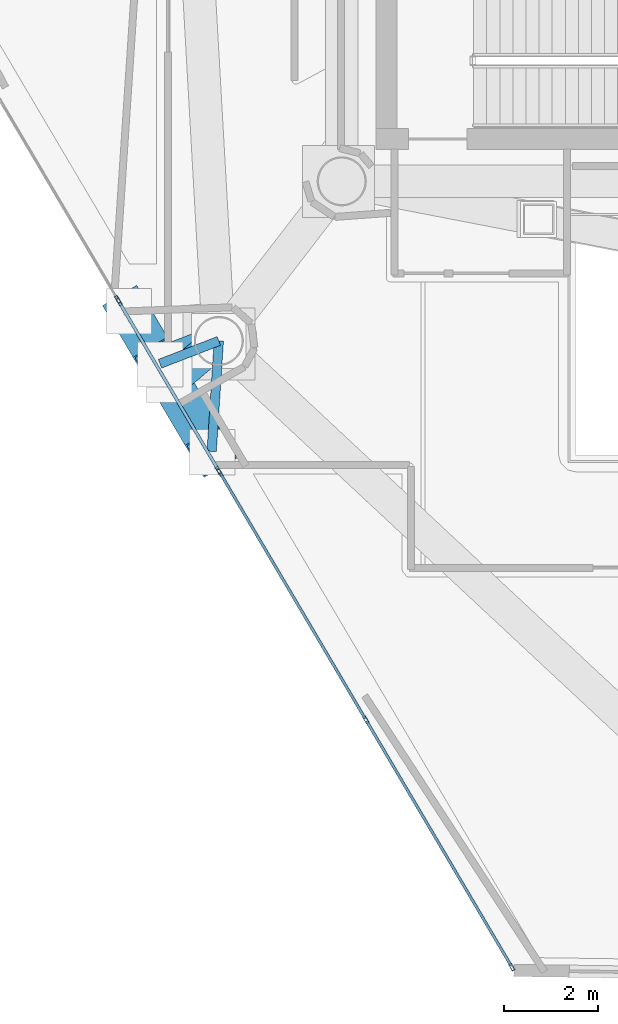
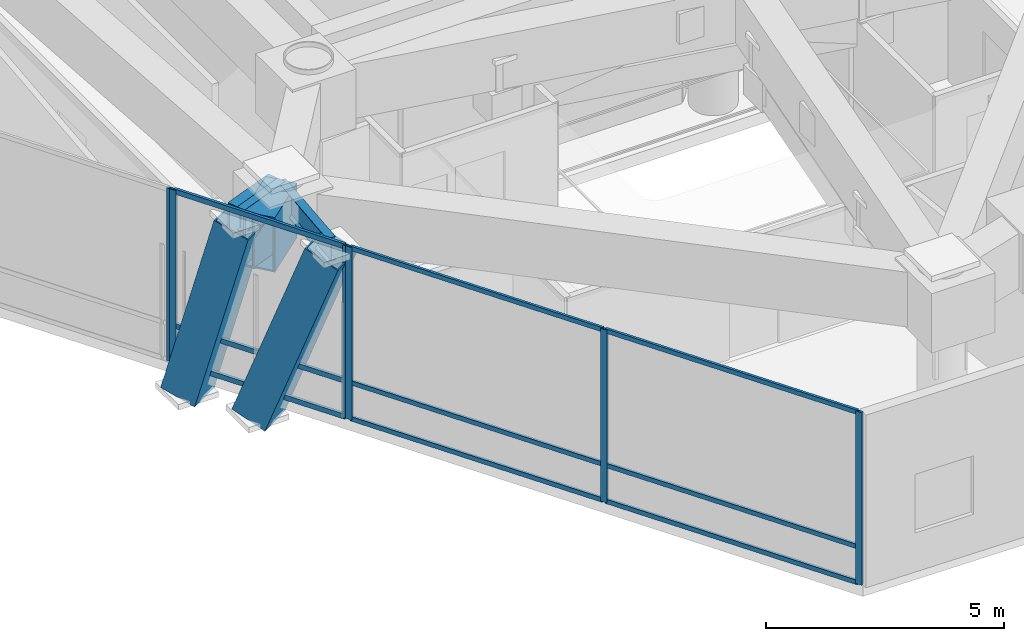
# One storey, part 2 of 21: 17 members, 4 beams, 3 elements without a shape of their own.
"""IFC4 building model written with IfcOpenShell, lengths in metres."""

from ifc_helpers import new_model, si_unit, direction, frame, origin, origin_2d, place, context, subcontext, project, spatial, hollow_rectangle, i_section, extrude, material, layer, layer_set, material_profile, profile_set, type_object, element, aggregate, save


model = new_model("IFC4")

# Units and contexts
model_context = context("Model", 3, precision=1e-05, world=origin(), true_north=direction((0.0, 1.0)))
body_context = subcontext(model_context, "Body", "Model", "MODEL_VIEW")
ifc_project = project(units=[si_unit("LENGTHUNIT", "METRE"), si_unit("AREAUNIT", "SQUARE_METRE"), si_unit("VOLUMEUNIT", "CUBIC_METRE"), si_unit("PLANEANGLEUNIT", "RADIAN"), si_unit("MASSUNIT", "GRAM", prefix="KILO")], contexts=[model_context])

# Site, building, storey
site_placement = place(None, origin())
site = spatial("IfcSite", under=ifc_project, at=site_placement, CompositionType="ELEMENT")
building_placement = place(site_placement, origin())
building = spatial("IfcBuilding", under=site, at=building_placement, Name="Qianvela Tower", CompositionType="ELEMENT")
storey_placement = place(building_placement, frame((0.0, 0.0, 276.0)))
storey = spatial("IfcBuildingStorey", under=building, at=storey_placement, Name="L71", CompositionType="ELEMENT", Elevation=276.0)

# Beams
ifc_material_1 = material(Name="Steel Q355B", Category="steel")
ifc_material_profile_1 = material_profile(ifc_material_1, i_section(OverallWidth=0.199951171875, OverallDepth=0.60009765625, WebThickness=0.010986328125, FlangeThickness=0.01708984375, at=origin_2d()), Name="HN600x200x11x17")
ifc_profile_set_1 = profile_set([ifc_material_profile_1], Name="Steel Q355B")
beam_type_1 = type_object("IfcBeamType", Name="BM-HN600-GIRD", PredefinedType="BEAM", material=ifc_profile_set_1)
beam_1_placement = place(storey_placement, frame((25.971923828125, 20.43701171875, 4.117919921875), z_axis=(-0.932414801831, -0.361389868876, 0.0), x_axis=(0.361389868876, -0.932414801831, 0.0)))
element("IfcBeam", 1, at=beam_1_placement, inside=storey, type_object=beam_type_1, Name="L71 Mega-Brace Column Tie Bracket F2-1", PredefinedType="BEAM", context=body_context, shape_type="SweptSolid", body=[
    extrude(i_section(OverallWidth=0.199951171875, OverallDepth=0.60009765625, WebThickness=0.010986328125, FlangeThickness=0.01708984375, at=origin_2d()), origin(), (0.0, 0.0, 1.0), 1.349853515625),
])
beam_2_placement = place(storey_placement, frame((25.971923828125, 20.43701171875, 4.117919921875), z_axis=(-0.064607728011, -0.997910738233, 0.0), x_axis=(0.997910738233, -0.064607728011, 0.0)))
element("IfcBeam", 2, at=beam_2_placement, inside=storey, type_object=beam_type_1, Name="L71 Mega-Brace Column Tie Bracket F2-2", PredefinedType="BEAM", context=body_context, shape_type="SweptSolid", body=[
    extrude(i_section(OverallWidth=0.199951171875, OverallDepth=0.60009765625, WebThickness=0.010986328125, FlangeThickness=0.01708984375, at=origin_2d()), origin(), (0.0, 0.0, 1.0), 2.365478515625),
])
ifc_material_2 = material(Name="Steel Q420GJC", Category="steel")
ifc_material_profile_2 = material_profile(ifc_material_2, hollow_rectangle(XDim=0.699951171875, YDim=1.39990234375, WallThickness=0.0400390625, at=origin_2d()), Name="TG-BOX-1400x700x40")
ifc_profile_set_2 = profile_set([ifc_material_profile_2], Name="Steel Q420GJC")
beam_type_2 = type_object("IfcBeamType", Name="BM-TG-STEP-1400", PredefinedType="BEAM", material=ifc_profile_set_2)
for number, where, z_axis, x_axis, name in (
    (3, (25.971923828125, 20.43701171875, 3.715087890625), (-0.932414801831, -0.361389868876, 0.0), (0.361389868876, -0.932414801831, 0.0), "L71 Mega-Brace Zone Base Bracket F2-1"),
    (4, (25.971923828125, 20.43701171875, 3.715087890625), (-0.766662433094, -0.642050398086, 0.0), (0.642050398086, -0.766662433094, 0.0), "L71 Mega-Brace Zone Base Bracket F2-2"),
):
    element("IfcBeam", number, at=place(storey_placement, frame(where, z_axis=z_axis, x_axis=x_axis)), inside=storey, type_object=beam_type_2, Name=name, PredefinedType="BEAM", context=body_context, shape_type="SweptSolid", body=[
        extrude(hollow_rectangle(XDim=0.699951171875, YDim=1.39990234375, WallThickness=0.0400390625, at=origin_2d()), origin(), (0.0, 0.0, 1.0), 1.349853515625),
    ])

# Curtain wall, members
ifc_material_3 = material(Name="Anodised Architectural Aluminium and Insulated Spandrel Panel", Category="aluminium")
ifc_layer_1 = layer(ifc_material_3, 0.179931640625)
ifc_layer_set_1 = layer_set([ifc_layer_1], Name="Anodised Architectural Aluminium and Insulated Spandrel Panel")
curtain_wall_type_1 = type_object("IfcCurtainWallType", Name="CW-BRACEBAY", PredefinedType="USERDEFINED", material=ifc_layer_set_1)
curtain_wall_1_placement = place(storey_placement, origin())
curtain_wall_1 = element("IfcCurtainWall", 5, at=curtain_wall_1_placement, inside=storey, type_object=curtain_wall_type_1, Name="L71 CW-BRACEBAY Curtain Wall 04B", ObjectType="CURTAIN_WALL_SYSTEM", PredefinedType="USERDEFINED")
ifc_material_4 = material(Name="Anodised Architectural Aluminium 6063-T6", Category="aluminium")
ifc_material_profile_3 = material_profile(ifc_material_4, hollow_rectangle(XDim=0.06494140625, YDim=0.159912109375, WallThickness=0.0048828125, at=origin_2d()), Name="ALU-MULL-65x160")
ifc_profile_set_3 = profile_set([ifc_material_profile_3], Name="Anodised Architectural Aluminium 6063-T6")
member_type_1 = type_object("IfcMemberType", Name="CW-BRACEBAY-MULL", PredefinedType="MULLION", material=ifc_profile_set_3)
member_1_placement = place(storey_placement, frame((23.83984375, 21.27099609375, 0.0), z_axis=(0.0, 0.0, 1.0), x_axis=(0.861092697758, 0.508447997212, 0.0)))
member_1 = element("IfcMember", 6, at=member_1_placement, type_object=member_type_1, Name="CW-9 mullion 1", PredefinedType="MULLION", context=body_context, shape_type="SweptSolid", body=[
    extrude(hollow_rectangle(XDim=0.06494140625, YDim=0.159912109375, WallThickness=0.0048828125, at=origin_2d()), origin(), (0.0, 0.0, 1.0), 4.419921875),
])
member_2_placement = place(storey_placement, frame((25.962646484375, 17.676025390625, 0.0), z_axis=(0.0, 0.0, 1.0), x_axis=(0.861092697758, 0.508447997212, 0.0)))
member_2 = element("IfcMember", 7, at=member_2_placement, type_object=member_type_1, Name="CW-9 mullion 2", PredefinedType="MULLION", context=body_context, shape_type="SweptSolid", body=[
    extrude(hollow_rectangle(XDim=0.06494140625, YDim=0.159912109375, WallThickness=0.0048828125, at=origin_2d()), origin(), (0.0, 0.0, 1.0), 4.419921875),
])
ifc_material_5 = material(Name="Anodised Architectural Aluminium 6063-T6", Category="aluminium")
ifc_material_profile_4 = material_profile(ifc_material_5, hollow_rectangle(XDim=0.06494140625, YDim=0.1298828125, WallThickness=0.00439453125, at=origin_2d()), Name="ALU-TRAN-65x130")
ifc_profile_set_4 = profile_set([ifc_material_profile_4], Name="Anodised Architectural Aluminium 6063-T6")
member_type_2 = type_object("IfcMemberType", Name="CW-BRACEBAY-TRAN", PredefinedType="USERDEFINED", material=ifc_profile_set_4)
member_3_placement = place(storey_placement, frame((23.8564453125, 21.242919921875, 0.032470703125), z_axis=(0.508429082976, -0.861103865735, 0.0), x_axis=(0.861103865735, 0.508429082976, 0.0)))
member_3 = element("IfcMember", 8, at=member_3_placement, type_object=member_type_2, Name="CW-9 transom 1.1", ObjectType="TRANSOM", PredefinedType="USERDEFINED", context=body_context, shape_type="SweptSolid", body=[
    extrude(hollow_rectangle(XDim=0.06494140625, YDim=0.1298828125, WallThickness=0.00439453125, at=origin_2d()), origin(), (0.0, 0.0, 1.0), 4.10986328125),
])
member_4_placement = place(storey_placement, frame((23.8564453125, 21.242919921875, 0.949951171875), z_axis=(0.508429082976, -0.861103865735, 0.0), x_axis=(0.861103865735, 0.508429082976, 0.0)))
member_4 = element("IfcMember", 9, at=member_4_placement, type_object=member_type_2, Name="CW-9 transom 1.2", ObjectType="TRANSOM", PredefinedType="USERDEFINED", context=body_context, shape_type="SweptSolid", body=[
    extrude(hollow_rectangle(XDim=0.06494140625, YDim=0.1298828125, WallThickness=0.00439453125, at=origin_2d()), origin(), (0.0, 0.0, 1.0), 4.10986328125),
])
member_5_placement = place(storey_placement, frame((23.8564453125, 21.242919921875, 4.387451171875), z_axis=(0.508429082976, -0.861103865735, 0.0), x_axis=(0.861103865735, 0.508429082976, 0.0)))
member_5 = element("IfcMember", 10, at=member_5_placement, type_object=member_type_2, Name="CW-9 transom 1.3", ObjectType="TRANSOM", PredefinedType="USERDEFINED", context=body_context, shape_type="SweptSolid", body=[
    extrude(hollow_rectangle(XDim=0.06494140625, YDim=0.1298828125, WallThickness=0.00439453125, at=origin_2d()), origin(), (0.0, 0.0, 1.0), 4.10986328125),
])
aggregate(curtain_wall_1, [member_1, member_2, member_3, member_4, member_5])

# Curtain wall, member
ifc_material_6 = material(Name="Anodised Architectural Aluminium and Low-E Glass", Category="aluminium")
ifc_layer_2 = layer(ifc_material_6, 0.159912109375)
ifc_layer_set_2 = layer_set([ifc_layer_2], Name="Anodised Architectural Aluminium and Low-E Glass")
curtain_wall_type_2 = type_object("IfcCurtainWallType", Name="CW-COLIV-Z56", PredefinedType="USERDEFINED", material=ifc_layer_set_2)
curtain_wall_2_placement = place(storey_placement, origin())
curtain_wall_2 = element("IfcCurtainWall", 11, at=curtain_wall_2_placement, inside=storey, type_object=curtain_wall_type_2, Name="L71 CW-COLIV-Z56 Curtain Wall 04A", ObjectType="CURTAIN_WALL_SYSTEM", PredefinedType="USERDEFINED")
ifc_material_7 = material(Name="Anodised Architectural Aluminium 6063-T6", Category="aluminium")
ifc_material_profile_5 = material_profile(ifc_material_7, hollow_rectangle(XDim=0.06494140625, YDim=0.159912109375, WallThickness=0.0048828125, at=origin_2d()), Name="ALU-MULL-65x160")
ifc_profile_set_5 = profile_set([ifc_material_profile_5], Name="Anodised Architectural Aluminium 6063-T6")
member_type_3 = type_object("IfcMemberType", Name="CW-COLIV-Z56-MULL", PredefinedType="MULLION", material=ifc_profile_set_5)
member_6_placement = place(storey_placement, frame((23.806884765625, 21.326904296875, 0.0), z_axis=(0.0, 0.0, 1.0), x_axis=(0.861096909896, 0.50844086359, 0.0)))
member_6 = element("IfcMember", 12, at=member_6_placement, type_object=member_type_3, Name="CW-5 mullion 2", PredefinedType="MULLION", context=body_context, shape_type="SweptSolid", body=[
    extrude(hollow_rectangle(XDim=0.06494140625, YDim=0.159912109375, WallThickness=0.0048828125, at=origin_2d()), origin(), (0.0, 0.0, 1.0), 4.419921875),
])
aggregate(curtain_wall_2, [member_6])

# Curtain wall, members
curtain_wall_3_placement = place(storey_placement, origin())
curtain_wall_3 = element("IfcCurtainWall", 13, at=curtain_wall_3_placement, inside=storey, type_object=curtain_wall_type_2, Name="L71 CW-COLIV-Z56 Curtain Wall 04C", ObjectType="CURTAIN_WALL_SYSTEM", PredefinedType="USERDEFINED")
member_7_placement = place(storey_placement, frame((25.99560546875, 17.6201171875, 0.0), z_axis=(0.0, 0.0, 1.0), x_axis=(0.861095051921, 0.508444010249, 0.0)))
member_7 = element("IfcMember", 14, at=member_7_placement, type_object=member_type_3, Name="CW-5 mullion 1", PredefinedType="MULLION", context=body_context, shape_type="SweptSolid", body=[
    extrude(hollow_rectangle(XDim=0.06494140625, YDim=0.159912109375, WallThickness=0.0048828125, at=origin_2d()), origin(), (0.0, 0.0, 1.0), 4.419921875),
])
member_8_placement = place(storey_placement, frame((29.11669921875, 12.33447265625, 0.0), z_axis=(0.0, 0.0, 1.0), x_axis=(0.861095051921, 0.508444010249, 0.0)))
member_8 = element("IfcMember", 15, at=member_8_placement, type_object=member_type_3, Name="CW-5 mullion 2", PredefinedType="MULLION", context=body_context, shape_type="SweptSolid", body=[
    extrude(hollow_rectangle(XDim=0.06494140625, YDim=0.159912109375, WallThickness=0.0048828125, at=origin_2d()), origin(), (0.0, 0.0, 1.0), 4.419921875),
])
member_9_placement = place(storey_placement, frame((32.237548828125, 7.048828125, 0.0), z_axis=(0.0, 0.0, 1.0), x_axis=(0.861095051921, 0.508444010249, 0.0)))
member_9 = element("IfcMember", 16, at=member_9_placement, type_object=member_type_3, Name="CW-5 mullion 3", PredefinedType="MULLION", context=body_context, shape_type="SweptSolid", body=[
    extrude(hollow_rectangle(XDim=0.06494140625, YDim=0.159912109375, WallThickness=0.0048828125, at=origin_2d()), origin(), (0.0, 0.0, 1.0), 4.419921875),
])
ifc_material_8 = material(Name="Anodised Architectural Aluminium 6063-T6", Category="aluminium")
ifc_material_profile_6 = material_profile(ifc_material_8, hollow_rectangle(XDim=0.06005859375, YDim=0.114990234375, WallThickness=0.00390625, at=origin_2d()), Name="ALU-TRAN-60x115")
ifc_profile_set_6 = profile_set([ifc_material_profile_6], Name="Anodised Architectural Aluminium 6063-T6")
member_type_4 = type_object("IfcMemberType", Name="CW-COLIV-Z56-TRAN", PredefinedType="USERDEFINED", material=ifc_profile_set_6)
member_10_placement = place(storey_placement, frame((26.01220703125, 17.592041015625, 0.030029296875), z_axis=(0.508452993733, -0.86108974745, 0.0), x_axis=(0.86108974745, 0.508452993733, 0.0)))
member_10 = element("IfcMember", 17, at=member_10_placement, type_object=member_type_4, Name="CW-5 transom 1.1", ObjectType="TRANSOM", PredefinedType="USERDEFINED", context=body_context, shape_type="SweptSolid", body=[
    extrude(hollow_rectangle(XDim=0.06005859375, YDim=0.114990234375, WallThickness=0.00390625, at=origin_2d()), origin(), (0.0, 0.0, 1.0), 6.072998046875),
])
member_11_placement = place(storey_placement, frame((26.01220703125, 17.592041015625, 0.949951171875), z_axis=(0.508452993733, -0.86108974745, 0.0), x_axis=(0.86108974745, 0.508452993733, 0.0)))
member_11 = element("IfcMember", 18, at=member_11_placement, type_object=member_type_4, Name="CW-5 transom 1.2", ObjectType="TRANSOM", PredefinedType="USERDEFINED", context=body_context, shape_type="SweptSolid", body=[
    extrude(hollow_rectangle(XDim=0.06005859375, YDim=0.114990234375, WallThickness=0.00390625, at=origin_2d()), origin(), (0.0, 0.0, 1.0), 6.072998046875),
])
member_12_placement = place(storey_placement, frame((26.01220703125, 17.592041015625, 4.389892578125), z_axis=(0.508452993733, -0.86108974745, 0.0), x_axis=(0.86108974745, 0.508452993733, 0.0)))
member_12 = element("IfcMember", 19, at=member_12_placement, type_object=member_type_4, Name="CW-5 transom 1.3", ObjectType="TRANSOM", PredefinedType="USERDEFINED", context=body_context, shape_type="SweptSolid", body=[
    extrude(hollow_rectangle(XDim=0.06005859375, YDim=0.114990234375, WallThickness=0.00390625, at=origin_2d()), origin(), (0.0, 0.0, 1.0), 6.072998046875),
])
member_13_placement = place(storey_placement, frame((29.133056640625, 12.306396484375, 0.030029296875), z_axis=(0.508452993733, -0.86108974745, 0.0), x_axis=(0.86108974745, 0.508452993733, 0.0)))
member_13 = element("IfcMember", 20, at=member_13_placement, type_object=member_type_4, Name="CW-5 transom 2.1", ObjectType="TRANSOM", PredefinedType="USERDEFINED", context=body_context, shape_type="SweptSolid", body=[
    extrude(hollow_rectangle(XDim=0.06005859375, YDim=0.114990234375, WallThickness=0.00390625, at=origin_2d()), origin(), (0.0, 0.0, 1.0), 6.072998046875),
])
member_14_placement = place(storey_placement, frame((29.133056640625, 12.306396484375, 0.949951171875), z_axis=(0.508452993733, -0.86108974745, 0.0), x_axis=(0.86108974745, 0.508452993733, 0.0)))
member_14 = element("IfcMember", 21, at=member_14_placement, type_object=member_type_4, Name="CW-5 transom 2.2", ObjectType="TRANSOM", PredefinedType="USERDEFINED", context=body_context, shape_type="SweptSolid", body=[
    extrude(hollow_rectangle(XDim=0.06005859375, YDim=0.114990234375, WallThickness=0.00390625, at=origin_2d()), origin(), (0.0, 0.0, 1.0), 6.072998046875),
])
member_15_placement = place(storey_placement, frame((29.133056640625, 12.306396484375, 4.389892578125), z_axis=(0.508452993733, -0.86108974745, 0.0), x_axis=(0.86108974745, 0.508452993733, 0.0)))
member_15 = element("IfcMember", 22, at=member_15_placement, type_object=member_type_4, Name="CW-5 transom 2.3", ObjectType="TRANSOM", PredefinedType="USERDEFINED", context=body_context, shape_type="SweptSolid", body=[
    extrude(hollow_rectangle(XDim=0.06005859375, YDim=0.114990234375, WallThickness=0.00390625, at=origin_2d()), origin(), (0.0, 0.0, 1.0), 6.072998046875),
])
aggregate(curtain_wall_3, [member_7, member_8, member_9, member_10, member_11, member_12, member_13, member_14, member_15])

# Members
ifc_material_9 = material(Name="Steel Q420GJC", Category="steel")
ifc_material_profile_7 = material_profile(ifc_material_9, hollow_rectangle(XDim=0.85009765625, YDim=0.85009765625, WallThickness=0.031982421875, at=origin_2d()), Name="MBOX-850x850x32")
ifc_profile_set_7 = profile_set([ifc_material_profile_7], Name="Steel Q420GJC")
member_type_5 = type_object("IfcMemberType", Name="MBR-MBRACE-850", PredefinedType="BRACE", material=ifc_profile_set_7)
member_16_placement = place(storey_placement, frame((24.0595703125, 21.056396484375, -0.60205078125), z_axis=(0.133649175723, -0.226325247164, 0.964839251028), x_axis=(0.86107391258, 0.508479809898, 0.0)))
element("IfcMember", 23, at=member_16_placement, inside=storey, type_object=member_type_5, Name="L71 Tier 12 Exterior Mega-Brace F2A", PredefinedType="BRACE", context=body_context, shape_type="SweptSolid", body=[
    extrude(hollow_rectangle(XDim=0.85009765625, YDim=0.85009765625, WallThickness=0.031982421875, at=origin_2d()), origin(), (0.0, 0.0, 1.0), 4.89208984375),
])
member_17_placement = place(storey_placement, frame((24.92529296875, 19.590087890625, -0.60205078125), z_axis=(0.177457735181, -0.300529352124, 0.937118381389), x_axis=(0.861086851859, 0.508457897525, 0.0)))
element("IfcMember", 24, at=member_17_placement, inside=storey, type_object=member_type_5, Name="L71 Tier 12 Exterior Mega-Brace F2B", PredefinedType="BRACE", context=body_context, shape_type="SweptSolid", body=[
    extrude(hollow_rectangle(XDim=0.85009765625, YDim=0.85009765625, WallThickness=0.031982421875, at=origin_2d()), origin(), (0.0, 0.0, 1.0), 5.03662109375),
])

save(model, "model.ifc")
